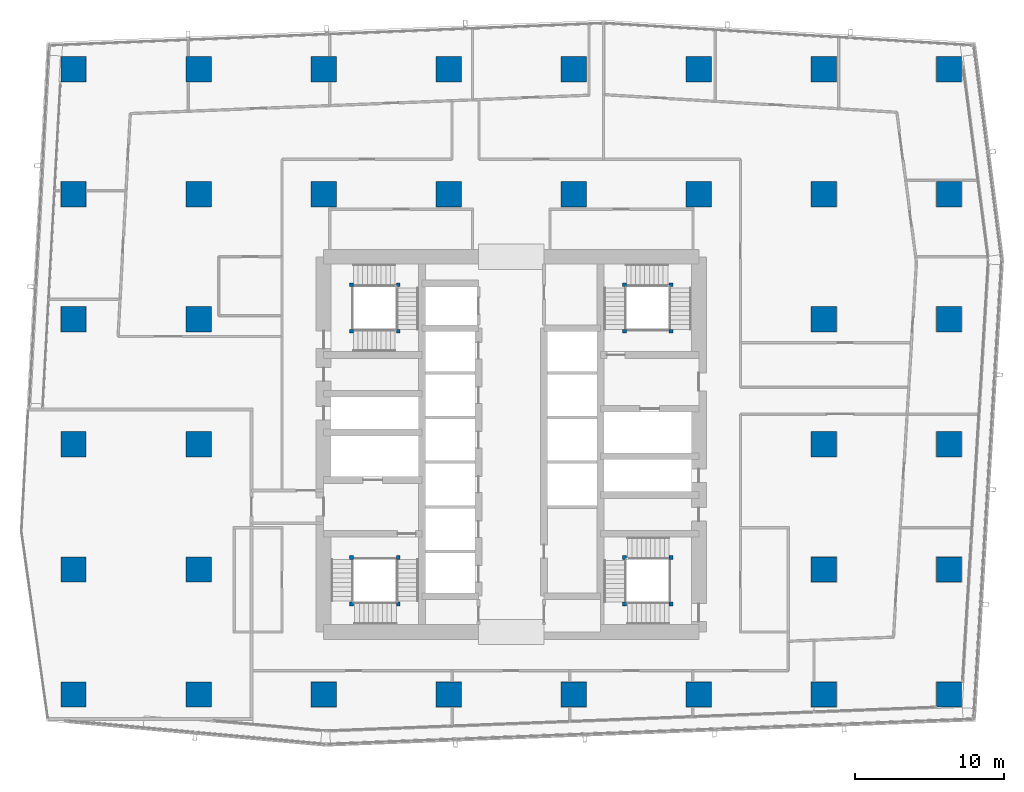
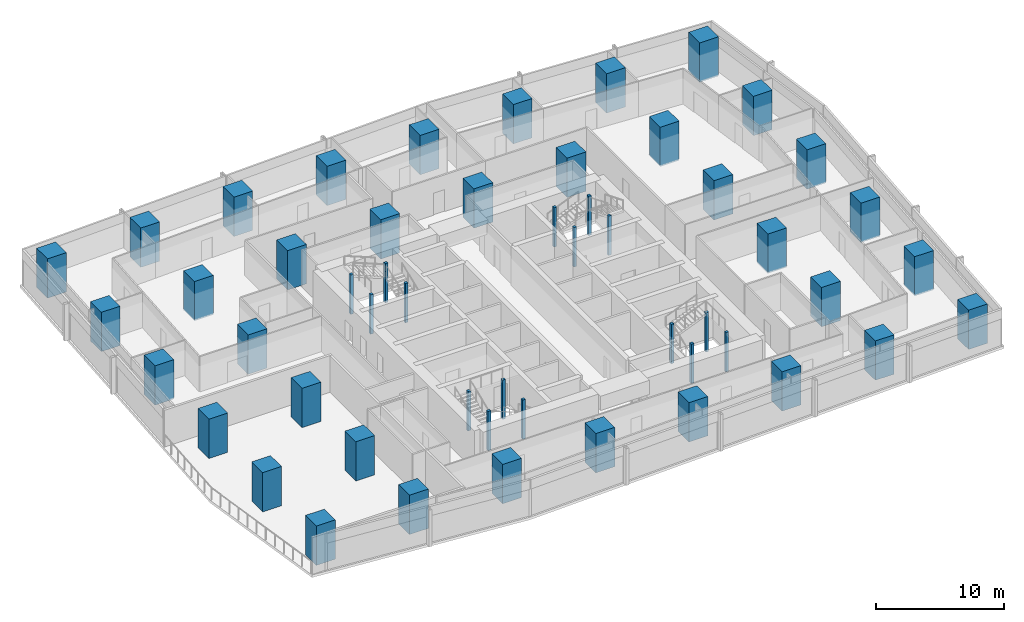
# One storey, part 1 of 38: 52 columns.
"""IFC4 building model written with IfcOpenShell, lengths in metres."""

from ifc_helpers import new_model, si_unit, direction, frame, origin, origin_2d, place, context, subcontext, project, spatial, rectangle, extrude, material, material_profile, profile_set, type_object, element, save


model = new_model("IFC4")

# Units and contexts
model_context = context("Model", 3, precision=1e-05, world=origin(), true_north=direction((0.0, 1.0)))
body_context = subcontext(model_context, "Body", "Model", "MODEL_VIEW")
ifc_project = project(units=[si_unit("LENGTHUNIT", "METRE"), si_unit("AREAUNIT", "SQUARE_METRE"), si_unit("VOLUMEUNIT", "CUBIC_METRE"), si_unit("PLANEANGLEUNIT", "RADIAN"), si_unit("MASSUNIT", "GRAM", prefix="KILO")], contexts=[model_context])

# Site, building, storey
site_placement = place(None, origin())
site = spatial("IfcSite", under=ifc_project, at=site_placement, CompositionType="ELEMENT")
building_placement = place(site_placement, origin())
building = spatial("IfcBuilding", under=site, at=building_placement, Name="Rekha Terrace Tower", CompositionType="ELEMENT")
storey_placement = place(building_placement, frame((0.0, 0.0, 114.050048828125)))
storey = spatial("IfcBuildingStorey", under=building, at=storey_placement, Name="L28", CompositionType="ELEMENT", Elevation=114.050048828125)

# Columns
ifc_material_1 = material(Name="Concrete M70", Category="concrete")
ifc_material_profile_1 = material_profile(ifc_material_1, rectangle(XDim=1.699951171875, YDim=1.699951171875, at=origin_2d()), Name="RC 1700x1700")
ifc_profile_set_1 = profile_set([ifc_material_profile_1], Name="Concrete M70")
column_type_1 = type_object("IfcColumnType", Name="C3 1700x1700 column", PredefinedType="COLUMN", material=ifc_profile_set_1)
for number, where, z_axis, x_axis, name in (
    (1, (8.39990234375, 16.800048828125, 0.0), (0.0, 0.0, 1.0), (1.0, 0.0, 0.0), "Column C3 2/C L28"),
    (2, (8.39990234375, 25.199951171875, 0.0), (0.0, 0.0, 1.0), (1.0, 0.0, 0.0), "Column C3 2/D L28"),
    (3, (8.39990234375, 33.60009765625, 0.0), (0.0, 0.0, 1.0), (1.0, 0.0, 0.0), "Column C3 2/E L28"),
    (4, (8.39990234375, 42.0, 0.0), (0.0, 0.0, 1.0), (1.0, 0.0, 0.0), "Column C3 2/F L28"),
    (5, (8.39990234375, 50.39990234375, 0.0), (0.0, 0.0, 1.0), (1.0, 0.0, 0.0), "Column C3 2/G L28"),
    (6, (8.39990234375, 58.800048828125, 0.0), (0.0, 0.0, 1.0), (1.0, 0.0, 0.0), "Column C3 2/H L28"),
    (7, (16.800048828125, 16.800048828125, 0.0), (0.0, 0.0, 1.0), (1.0, 0.0, 0.0), "Column C3 3/C L28"),
    (8, (16.800048828125, 25.199951171875, 0.0), (0.0, 0.0, 1.0), (1.0, 0.0, 0.0), "Column C3 3/D L28"),
    (9, (16.800048828125, 33.60009765625, 0.0), (0.0, 0.0, 1.0), (1.0, 0.0, 0.0), "Column C3 3/E L28"),
    (10, (16.800048828125, 42.0, 0.0), (0.0, 0.0, 1.0), (1.0, 0.0, 0.0), "Column C3 3/F L28"),
    (11, (16.800048828125, 50.39990234375, 0.0), (0.0, 0.0, 1.0), (1.0, 0.0, 0.0), "Column C3 3/G L28"),
    (12, (16.800048828125, 58.800048828125, 0.0), (0.0, 0.0, 1.0), (1.0, 0.0, 0.0), "Column C3 3/H L28"),
    (13, (25.199951171875, 16.800048828125, 0.0), (0.0, 0.0, 1.0), (1.0, 0.0, 0.0), "Column C3 4/C L28"),
    (14, (25.199951171875, 50.39990234375, 0.0), (0.0, 0.0, 1.0), (1.0, 0.0, 0.0), "Column C3 4/G L28"),
    (15, (25.199951171875, 58.800048828125, 0.0), (0.0, 0.0, 1.0), (1.0, 0.0, 0.0), "Column C3 4/H L28"),
    (16, (33.60009765625, 16.800048828125, 0.0), (0.0, 0.0, 1.0), (1.0, 0.0, 0.0), "Column C3 5/C L28"),
    (17, (33.60009765625, 50.39990234375, 0.0), (0.0, 0.0, 1.0), (1.0, 0.0, 0.0), "Column C3 5/G L28"),
    (18, (33.60009765625, 58.800048828125, 0.0), (0.0, 0.0, 1.0), (1.0, 0.0, 0.0), "Column C3 5/H L28"),
    (19, (42.0, 16.800048828125, 0.0), (0.0, 0.0, 1.0), (1.0, 0.0, 0.0), "Column C3 6/C L28"),
    (20, (42.0, 50.39990234375, 0.0), (0.0, 0.0, 1.0), (1.0, 0.0, 0.0), "Column C3 6/G L28"),
    (21, (42.0, 58.800048828125, 0.0), (0.0, 0.0, 1.0), (1.0, 0.0, 0.0), "Column C3 6/H L28"),
    (22, (50.39990234375, 16.800048828125, 0.0), (0.0, 0.0, 1.0), (1.0, 0.0, 0.0), "Column C3 7/C L28"),
    (23, (50.39990234375, 50.39990234375, 0.0), (0.0, 0.0, 1.0), (1.0, 0.0, 0.0), "Column C3 7/G L28"),
    (24, (50.39990234375, 58.800048828125, 0.0), (0.0, 0.0, 1.0), (1.0, 0.0, 0.0), "Column C3 7/H L28"),
    (25, (58.800048828125, 16.800048828125, 0.0), (0.0, 0.0, 1.0), (1.0, 0.0, 0.0), "Column C3 8/C L28"),
    (26, (58.800048828125, 25.199951171875, 0.0), (0.0, 0.0, 1.0), (1.0, 0.0, 0.0), "Column C3 8/D L28"),
    (27, (58.800048828125, 33.60009765625, 0.0), (0.0, 0.0, 1.0), (1.0, 0.0, 0.0), "Column C3 8/E L28"),
    (28, (58.800048828125, 42.0, 0.0), (0.0, 0.0, 1.0), (1.0, 0.0, 0.0), "Column C3 8/F L28"),
    (29, (58.800048828125, 50.39990234375, 0.0), (0.0, 0.0, 1.0), (1.0, 0.0, 0.0), "Column C3 8/G L28"),
    (30, (58.800048828125, 58.800048828125, 0.0), (0.0, 0.0, 1.0), (1.0, 0.0, 0.0), "Column C3 8/H L28"),
    (31, (67.199951171875, 16.800048828125, 0.0), (0.0, 0.0, 1.0), (1.0, 0.0, 0.0), "Column C3 9/C L28"),
    (32, (67.199951171875, 25.199951171875, 0.0), (0.0, 0.0, 1.0), (1.0, 0.0, 0.0), "Column C3 9/D L28"),
    (33, (67.199951171875, 33.60009765625, 0.0), (0.0, 0.0, 1.0), (1.0, 0.0, 0.0), "Column C3 9/E L28"),
    (34, (67.199951171875, 42.0, 0.0), (0.0, 0.0, 1.0), (1.0, 0.0, 0.0), "Column C3 9/F L28"),
    (35, (67.199951171875, 50.39990234375, 0.0), (0.0, 0.0, 1.0), (1.0, 0.0, 0.0), "Column C3 9/G L28"),
    (36, (67.199951171875, 58.800048828125, 0.0), (0.0, 0.0, 1.0), (1.0, 0.0, 0.0), "Column C3 9/H L28"),
):
    element("IfcColumn", number, at=place(storey_placement, frame(where, z_axis=z_axis, x_axis=x_axis)), inside=storey, type_object=column_type_1, Name=name, PredefinedType="COLUMN", context=body_context, shape_type="SweptSolid", body=[
        extrude(rectangle(XDim=1.699951171875, YDim=1.699951171875, at=origin_2d()), origin(), (0.0, 0.0, 1.0), 3.75),
    ])
ifc_material_2 = material(Name="Concrete M60", Category="concrete")
ifc_material_profile_2 = material_profile(ifc_material_2, rectangle(XDim=0.25, YDim=0.25, at=origin_2d()), Name="RC 250x250")
ifc_profile_set_2 = profile_set([ifc_material_profile_2], Name="Concrete M60")
column_type_2 = type_object("IfcColumnType", Name="NP1 250x250 stair newel post", PredefinedType="COLUMN", material=ifc_profile_set_2)
for number, where, z_axis, x_axis, name in (
    (37, (30.199951171875, 26.0, 0.0), (0.0, 0.0, 1.0), (1.0, 0.0, 0.0), "Stair newel post NP1"),
    (38, (30.199951171875, 22.875, 0.0), (0.0, 0.0, 1.0), (1.0, 0.0, 0.0), "Stair newel post NP1"),
    (39, (27.074951171875, 22.875, 0.0), (0.0, 0.0, 1.0), (1.0, 0.0, 0.0), "Stair newel post NP1"),
    (40, (27.074951171875, 26.0, 0.0), (0.0, 0.0, 1.0), (1.0, 0.0, 0.0), "Stair newel post NP1"),
    (41, (45.39990234375, 41.199951171875, 0.0), (0.0, 0.0, 1.0), (1.0, 0.0, 0.0), "Stair newel post NP1"),
    (42, (45.39990234375, 44.324951171875, 0.0), (0.0, 0.0, 1.0), (1.0, 0.0, 0.0), "Stair newel post NP1"),
    (43, (48.52490234375, 44.324951171875, 0.0), (0.0, 0.0, 1.0), (1.0, 0.0, 0.0), "Stair newel post NP1"),
    (44, (48.52490234375, 41.199951171875, 0.0), (0.0, 0.0, 1.0), (1.0, 0.0, 0.0), "Stair newel post NP1"),
    (45, (48.52490234375, 22.875, 0.0), (0.0, 0.0, 1.0), (1.0, 0.0, 0.0), "Stair newel post NP1"),
    (46, (45.39990234375, 22.875, 0.0), (0.0, 0.0, 1.0), (1.0, 0.0, 0.0), "Stair newel post NP1"),
    (47, (45.39990234375, 26.0, 0.0), (0.0, 0.0, 1.0), (1.0, 0.0, 0.0), "Stair newel post NP1"),
    (48, (48.52490234375, 26.0, 0.0), (0.0, 0.0, 1.0), (1.0, 0.0, 0.0), "Stair newel post NP1"),
    (49, (27.074951171875, 41.199951171875, 0.0), (0.0, 0.0, 1.0), (1.0, 0.0, 0.0), "Stair newel post NP1"),
    (50, (30.199951171875, 41.199951171875, 0.0), (0.0, 0.0, 1.0), (1.0, 0.0, 0.0), "Stair newel post NP1"),
    (51, (30.199951171875, 44.324951171875, 0.0), (0.0, 0.0, 1.0), (1.0, 0.0, 0.0), "Stair newel post NP1"),
    (52, (27.074951171875, 44.324951171875, 0.0), (0.0, 0.0, 1.0), (1.0, 0.0, 0.0), "Stair newel post NP1"),
):
    element("IfcColumn", number, at=place(storey_placement, frame(where, z_axis=z_axis, x_axis=x_axis)), inside=storey, type_object=column_type_2, Name=name, PredefinedType="COLUMN", context=body_context, shape_type="SweptSolid", body=[
        extrude(rectangle(XDim=0.25, YDim=0.25, at=origin_2d()), origin(), (0.0, 0.0, 1.0), 3.75),
    ])

save(model, "model.ifc")
